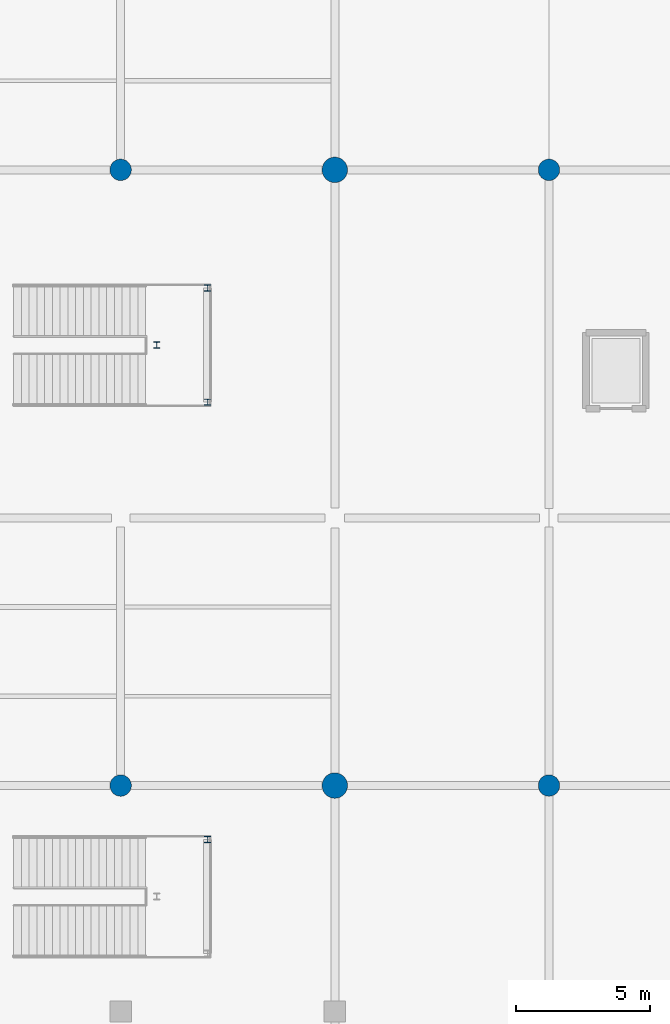
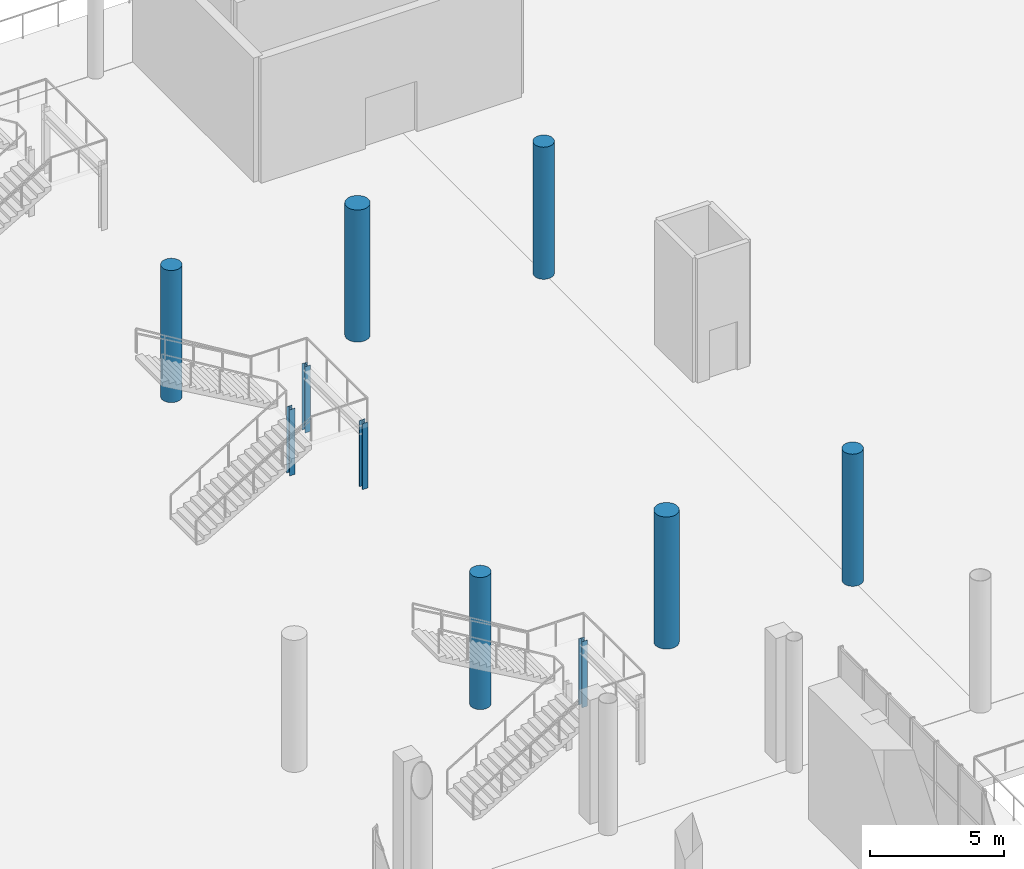
# One storey, part 23 of 163: 10 columns.
"""IFC4 building model written with IfcOpenShell, lengths in metres."""

from ifc_helpers import new_model, si_unit, direction, frame, origin, origin_2d, place, context, subcontext, project, spatial, circle, i_section, extrude, material, material_profile, profile_set, type_object, element, save


model = new_model("IFC4")

# Units and contexts
model_context = context("Model", 3, precision=1e-05, world=origin(), true_north=direction((0.0, 1.0)))
body_context = subcontext(model_context, "Body", "Model", "MODEL_VIEW")
ifc_project = project(units=[si_unit("LENGTHUNIT", "METRE"), si_unit("AREAUNIT", "SQUARE_METRE"), si_unit("VOLUMEUNIT", "CUBIC_METRE"), si_unit("PLANEANGLEUNIT", "RADIAN"), si_unit("MASSUNIT", "GRAM", prefix="KILO")], contexts=[model_context])

# Site, building, storey
site_placement = place(None, origin())
site = spatial("IfcSite", under=ifc_project, at=site_placement, CompositionType="ELEMENT")
building_placement = place(site_placement, origin())
building = spatial("IfcBuilding", under=site, at=building_placement, Name="Khorjan Park Terminus", CompositionType="ELEMENT")
storey_placement = place(building_placement, origin())
storey = spatial("IfcBuildingStorey", under=building, at=storey_placement, Name="L00", CompositionType="ELEMENT", Elevation=0.0)

# Columns
ifc_material_1 = material(Name="Steel S355", Category="steel")
ifc_material_profile_1 = material_profile(ifc_material_1, i_section(OverallWidth=0.24, OverallDepth=0.24, WebThickness=0.01, FlangeThickness=0.017, FilletRadius=0.021, at=origin_2d()), Name="HEB 240")
ifc_profile_set_1 = profile_set([ifc_material_profile_1], Name="Steel S355")
column_type_1 = type_object("IfcColumnType", Name="COL-HB240", PredefinedType="COLUMN", material=ifc_profile_set_1)
for number, where, z_axis, x_axis, name in (
    (1, (67.25, 109.48, 0.0), (0.0, 0.0, 1.0), (1.0, 0.0, 0.0), "Structural column SC-H24 (L00 #993)"),
    (2, (67.25, 125.82, 0.0), (0.0, 0.0, 1.0), (1.0, 0.0, 0.0), "Structural column SC-H24 (L00 #1003)"),
    (3, (67.25, 130.08, 0.0), (0.0, 0.0, 1.0), (1.0, 0.0, 0.0), "Structural column SC-H24 (L00 #1005)"),
    (4, (65.35, 127.95, 0.0), (0.0, 0.0, 1.0), (1.0, 0.0, 0.0), "Structural column SC-H24 (L00 #1007)"),
):
    element("IfcColumn", number, at=place(storey_placement, frame(where, z_axis=z_axis, x_axis=x_axis)), inside=storey, type_object=column_type_1, Name=name, PredefinedType="COLUMN", context=body_context, shape_type="SweptSolid", body=[
        extrude(i_section(OverallWidth=0.24, OverallDepth=0.24, WebThickness=0.01, FlangeThickness=0.017, FilletRadius=0.021, at=origin_2d()), origin(), (0.0, 0.0, 1.0), 3.0),
    ])
ifc_material_2 = material(Name="Concrete C40/50", Category="concrete")
ifc_material_profile_2 = material_profile(ifc_material_2, circle(Radius=0.4, at=origin_2d()), Name="RC D800")
ifc_profile_set_2 = profile_set([ifc_material_profile_2], Name="Concrete C40/50")
column_type_2 = type_object("IfcColumnType", Name="COL-RD800", PredefinedType="COLUMN", material=ifc_profile_set_2)
for number, where, z_axis, x_axis, name in (
    (5, (64.0, 111.5, 0.0), (0.0, 0.0, 1.0), (1.0, 0.0, 0.0), "Structural column C-RD80 (L00 #96)"),
    (6, (64.0, 134.5, 0.0), (0.0, 0.0, 1.0), (1.0, 0.0, 0.0), "Structural column C-RD80 (L00 #99)"),
    (7, (80.0, 111.5, 0.0), (0.0, 0.0, 1.0), (1.0, 0.0, 0.0), "Structural column C-RD80 (L00 #120)"),
    (8, (80.0, 134.5, 0.0), (0.0, 0.0, 1.0), (1.0, 0.0, 0.0), "Structural column C-RD80 (L00 #123)"),
):
    element("IfcColumn", number, at=place(storey_placement, frame(where, z_axis=z_axis, x_axis=x_axis)), inside=storey, type_object=column_type_2, Name=name, PredefinedType="COLUMN", context=body_context, shape_type="SweptSolid", body=[
        extrude(circle(Radius=0.4, at=origin_2d()), origin(), (0.0, 0.0, 1.0), 6.0),
    ])
ifc_material_3 = material(Name="Concrete C50/60", Category="concrete")
ifc_material_profile_3 = material_profile(ifc_material_3, circle(Radius=0.475, at=origin_2d()), Name="RC D950")
ifc_profile_set_3 = profile_set([ifc_material_profile_3], Name="Concrete C50/60")
column_type_3 = type_object("IfcColumnType", Name="COL-RD950", PredefinedType="COLUMN", material=ifc_profile_set_3)
for number, where, z_axis, x_axis, name in (
    (9, (72.0, 111.5, 0.0), (0.0, 0.0, 1.0), (1.0, 0.0, 0.0), "Structural column C-RD95 (L00 #110)"),
    (10, (72.0, 134.5, 0.0), (0.0, 0.0, 1.0), (1.0, 0.0, 0.0), "Structural column C-RD95 (L00 #113)"),
):
    element("IfcColumn", number, at=place(storey_placement, frame(where, z_axis=z_axis, x_axis=x_axis)), inside=storey, type_object=column_type_3, Name=name, PredefinedType="COLUMN", context=body_context, shape_type="SweptSolid", body=[
        extrude(circle(Radius=0.475, at=origin_2d()), origin(), (0.0, 0.0, 1.0), 6.0),
    ])

save(model, "model.ifc")
